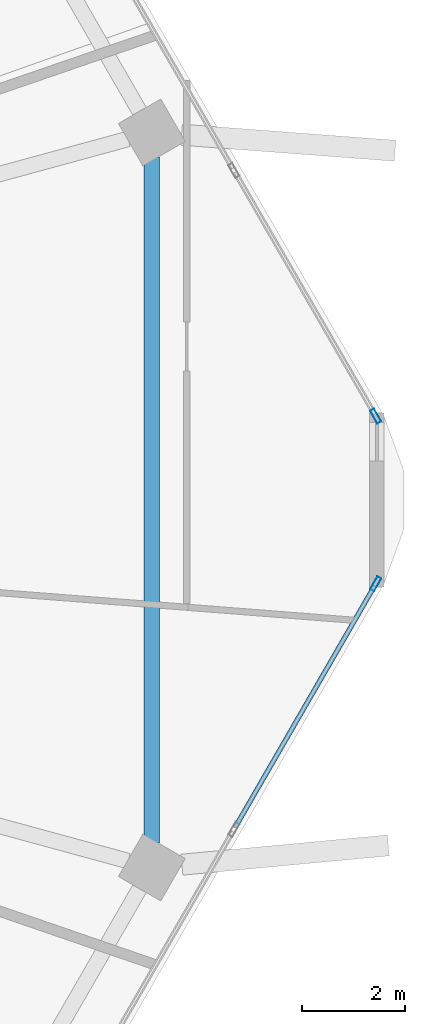
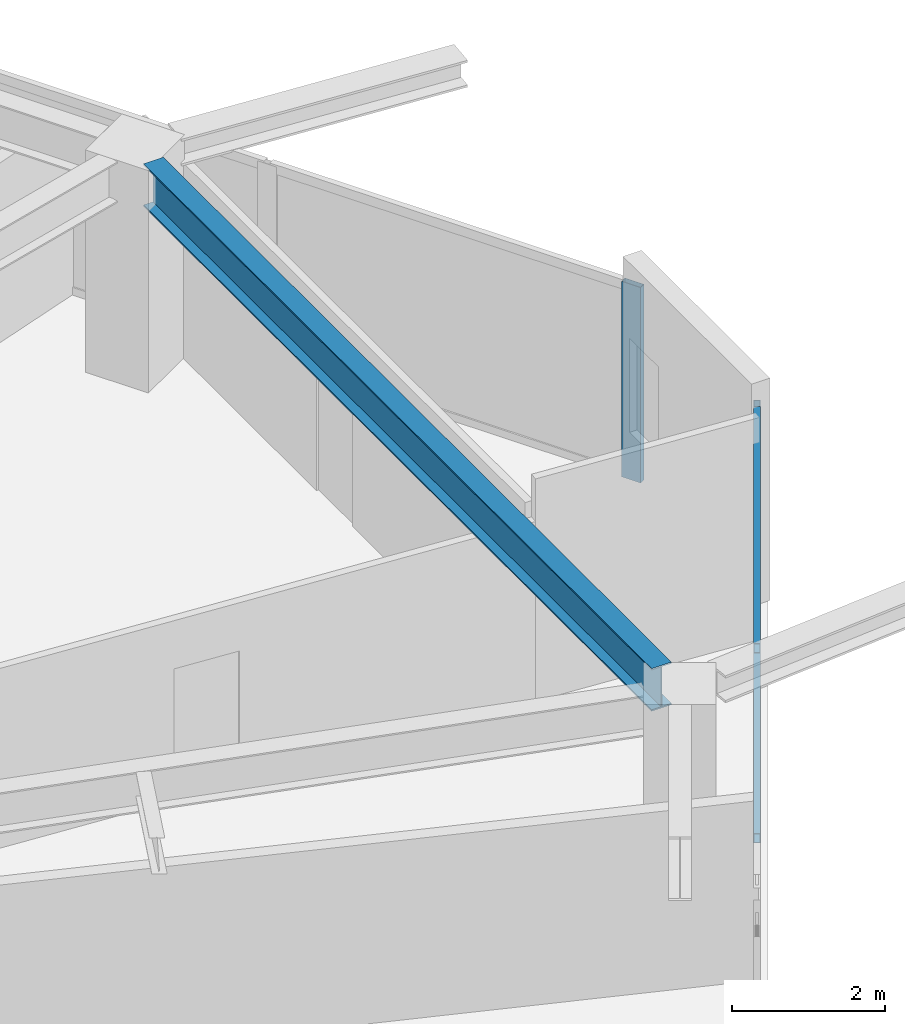
# One storey, part 10 of 27: 4 members, 1 beam, 2 elements without a shape of their own.
"""IFC4 building model written with IfcOpenShell, lengths in metres."""

import ifcopenshell
import ifcopenshell.guid

model = None  # the IFC model being written
_history = None  # IfcOwnerHistory: only IFC2X3 demands one
_inside = {}  # id of a spatial element -> (the spatial element, [elements in it])
_under = {}  # id of a project, library or spatial element -> (it, [spatial elements below it])
_declared = {}  # id of a project -> (the project, [libraries it declares])
_typed = {}  # id of a type object -> (the type object, [elements of that type])
_made_of = {}  # id of a material, layer set ... -> (it, [elements and type objects made of it])


def new_model(schema):
    """Start an empty IFC model of exactly this schema.

    Asked for "IFC4X3", IfcOpenShell would pick the latest addendum, in which some entities
    have other attributes; the version numbers below select the first issue.
    IFC2X3 requires an IfcOwnerHistory on every rooted entity: one is made here for all.
    """
    global model, _history
    if schema == "IFC4X3":
        model = ifcopenshell.file(schema_version=(4, 3, 0, 0))
    else:
        model = ifcopenshell.file(schema=schema)
    _inside.clear()
    _under.clear()
    _declared.clear()
    _typed.clear()
    _made_of.clear()
    _history = None
    if model.schema == "IFC2X3":
        org = make("IfcOrganization", Name="unknown")
        user = make(
            "IfcPersonAndOrganization",
            ThePerson=make("IfcPerson", FamilyName="unknown"),
            TheOrganization=org,
        )
        app = make(
            "IfcApplication",
            ApplicationDeveloper=org,
            Version="unknown",
            ApplicationFullName="unknown",
            ApplicationIdentifier="unknown",
        )
        _history = make(
            "IfcOwnerHistory",
            OwningUser=user,
            OwningApplication=app,
            ChangeAction="ADDED",
            CreationDate=0,
        )
    return model


def make(cls, **values):
    """One entity of the class cls with the attributes given. An attribute that is None is left unset."""
    return model.create_entity(
        cls, **{name: value for name, value in values.items() if value is not None}
    )


def rooted(cls, **values):
    """An entity with a GlobalId (a new one), such as an element, a storey or a relation."""
    return make(cls, GlobalId=ifcopenshell.guid.new(), OwnerHistory=_history, **values)


def si_unit(unit_type, name, prefix=None):
    """IfcSIUnit, for example si_unit("LENGTHUNIT", "METRE", prefix="MILLI")."""
    return make("IfcSIUnit", UnitType=unit_type, Prefix=prefix, Name=name)


def assignment(units):
    """IfcUnitAssignment: the units of a project."""
    return None if units is None else make("IfcUnitAssignment", Units=units)


def point(xyz):
    """IfcCartesianPoint."""
    return None if xyz is None else make("IfcCartesianPoint", Coordinates=xyz)


def direction(xyz):
    """IfcDirection."""
    return None if xyz is None else make("IfcDirection", DirectionRatios=xyz)


def frame(location, z_axis=None, x_axis=None):
    """IfcAxis2Placement3D, a coordinate frame: its origin and axes. An axis left out is left unset."""
    return make(
        "IfcAxis2Placement3D",
        Location=point(location),
        Axis=direction(z_axis),
        RefDirection=direction(x_axis),
    )


def frame_2d(location, x_axis=None):
    """IfcAxis2Placement2D, a coordinate frame in the plane: its origin and x axis."""
    return make(
        "IfcAxis2Placement2D", Location=point(location), RefDirection=direction(x_axis)
    )


def origin():
    """The frame at (0, 0, 0) with its axes left unset."""
    return frame((0.0, 0.0, 0.0))


def origin_2d():
    """The frame at (0, 0) in the plane with its x axis left unset."""
    return frame_2d((0.0, 0.0))


def place(relative_to, where):
    """IfcLocalPlacement: puts the frame where relative to a parent placement (None: the world)."""
    return make(
        "IfcLocalPlacement", PlacementRelTo=relative_to, RelativePlacement=where
    )


def context(
    kind, dimensions, precision=None, world=None, true_north=None, identifier=None
):
    """IfcGeometricRepresentationContext, for example the 3D "Model" context."""
    return make(
        "IfcGeometricRepresentationContext",
        ContextIdentifier=identifier,
        ContextType=kind,
        CoordinateSpaceDimension=dimensions,
        Precision=precision,
        WorldCoordinateSystem=world,
        TrueNorth=true_north,
    )


def subcontext(parent, identifier, kind, view, scale=None):
    """IfcGeometricRepresentationSubContext, for example "Body" below "Model"."""
    return make(
        "IfcGeometricRepresentationSubContext",
        ContextIdentifier=identifier,
        ContextType=kind,
        ParentContext=parent,
        TargetScale=scale,
        TargetView=view,
    )


def project(units=None, contexts=None):
    """IfcProject with its units and contexts."""
    return rooted(
        "IfcProject",
        Name="project",
        RepresentationContexts=contexts,
        UnitsInContext=assignment(units),
    )


def spatial(cls, under=None, at=None, **own):
    """A site, building, storey or space (cls), placed at a placement, below another one or the project."""
    s = rooted(cls, ObjectPlacement=at, **own)
    if under is not None:
        _under.setdefault(under.id(), (under, []))[1].append(s)
    return s


def profile(cls, at=None, kind="AREA", **sizes):
    """A parametric profile (cls). Its sizes go by their IFC names, for example OverallWidth=200.0."""
    return make(cls, ProfileType=kind, Position=at, **sizes)


def hollow_rectangle(**sizes):
    """IfcRectangleHollowProfileDef."""
    return profile("IfcRectangleHollowProfileDef", **sizes)


def i_section(**sizes):
    """IfcIShapeProfileDef."""
    return profile("IfcIShapeProfileDef", **sizes)


def extrude(swept, where, along, depth):
    """IfcExtrudedAreaSolid: the profile swept, set in the frame where, extruded along a direction by depth."""
    return make(
        "IfcExtrudedAreaSolid",
        SweptArea=swept,
        Position=where,
        ExtrudedDirection=direction(along),
        Depth=depth,
    )


def shape(context_of_items, identifier, shape_type, items):
    """IfcShapeRepresentation: the items that make up one representation, for example the "Body"."""
    return make(
        "IfcShapeRepresentation",
        ContextOfItems=context_of_items,
        RepresentationIdentifier=identifier,
        RepresentationType=shape_type,
        Items=items,
    )


def material(Name=None, Category=None):
    """IfcMaterial."""
    return make("IfcMaterial", Name=Name, Category=Category)


def material_profile(
    of_material, cross_section, Name=None, Category=None, Priority=None
):
    """IfcMaterialProfile: a cross section and its material."""
    return make(
        "IfcMaterialProfile",
        Name=Name,
        Material=of_material,
        Profile=cross_section,
        Priority=Priority,
        Category=Category,
    )


def profile_set(profiles, Name=None, composite=None):
    """IfcMaterialProfileSet."""
    return make(
        "IfcMaterialProfileSet",
        Name=Name,
        MaterialProfiles=profiles,
        CompositeProfile=composite,
    )


def made_of(thing, what):
    """Note that an element or type object is made of a material, layer set ...; save() writes the relation."""
    if what is not None:
        _made_of.setdefault(what.id(), (what, []))[1].append(thing)
    return thing


def type_object(cls, material=None, **own):
    """A type object (cls), such as IfcWallType, which elements share."""
    return made_of(rooted(cls, **own), material)


def element(
    cls,
    number,
    at=None,
    inside=None,
    cuts=None,
    type_object=None,
    material=None,
    context=None,
    identifier="Body",
    shape_type=None,
    held_by="IfcProductDefinitionShape",
    body=None,
    shapes=None,
    **own,
):
    """One element of the class cls, such as IfcWall. Its Tag is "e" and its number.

    at: its placement. inside: the storey or other place that contains it. cuts: it is an
    opening in that element (IfcRelVoidsElement). A single representation is given by context,
    identifier, shape_type and body (its items); several are given by shapes. held_by: the class
    of the entity that holds the representations. save() writes the other relations.
    """
    e = rooted(cls, Tag="e%d" % number, ObjectPlacement=at, **own)
    if body is not None:
        shapes = [shape(context, identifier, shape_type, body)]
    if shapes is not None:
        e.Representation = make(held_by, Representations=shapes)
    if inside is not None:
        _inside.setdefault(inside.id(), (inside, []))[1].append(e)
    if cuts is not None:
        rooted(
            "IfcRelVoidsElement", RelatingBuildingElement=cuts, RelatedOpeningElement=e
        )
    if type_object is not None:
        _typed.setdefault(type_object.id(), (type_object, []))[1].append(e)
    return made_of(e, material)


def aggregate(whole, parts):
    """IfcRelAggregates: a whole, such as a stair, and the parts it consists of."""
    return rooted("IfcRelAggregates", RelatingObject=whole, RelatedObjects=parts)


def save(model, path):
    """Write the relations noted so far, then the file.

    IfcRelAggregates (storeys below a building ...), IfcRelContainedInSpatialStructure (elements
    in a storey), IfcRelDefinesByType, IfcRelAssociatesMaterial and IfcRelDeclares: one each for
    every whole, place, type object, material and project.
    """
    for whole, parts in _under.values():
        aggregate(whole, parts)
    for where, things in _inside.values():
        rooted(
            "IfcRelContainedInSpatialStructure",
            RelatedElements=things,
            RelatingStructure=where,
        )
    for kind, things in _typed.values():
        rooted("IfcRelDefinesByType", RelatedObjects=things, RelatingType=kind)
    for what, things in _made_of.values():
        rooted("IfcRelAssociatesMaterial", RelatedObjects=things, RelatingMaterial=what)
    for by, libraries in _declared.values():
        rooted("IfcRelDeclares", RelatingContext=by, RelatedDefinitions=libraries)
    model.write(path)


model = new_model("IFC4")

# Units and contexts
model_context = context("Model", 3, precision=1e-05, world=origin(), true_north=direction((0.0, 1.0)))
body_context = subcontext(model_context, "Body", "Model", "MODEL_VIEW")
ifc_project = project(units=[si_unit("LENGTHUNIT", "METRE"), si_unit("AREAUNIT", "SQUARE_METRE"), si_unit("VOLUMEUNIT", "CUBIC_METRE"), si_unit("PLANEANGLEUNIT", "RADIAN"), si_unit("MASSUNIT", "GRAM", prefix="KILO")], contexts=[model_context])

# Site, building, storey
site_placement = place(None, origin())
site = spatial("IfcSite", under=ifc_project, at=site_placement, CompositionType="ELEMENT")
building_placement = place(site_placement, origin())
building = spatial("IfcBuilding", under=site, at=building_placement, Name="Zuhravey Tower", CompositionType="ELEMENT")
storey_placement = place(building_placement, frame((0.0, 0.0, 218.800048828125)))
storey = spatial("IfcBuildingStorey", under=building, at=storey_placement, Name="L55", CompositionType="ELEMENT", Elevation=218.800048828125)

# Curtain wall, member
ifc_material_1 = material(Name="Thermally broken anodised aluminium", Category="aluminium")
curtain_wall_type = type_object("IfcCurtainWallType", Name="Zone 1-2 Residential Curtain Wall CW3", PredefinedType="NOTDEFINED", material=ifc_material_1)
curtain_wall_1_placement = place(storey_placement, origin())
curtain_wall_1 = element("IfcCurtainWall", 1, at=curtain_wall_1_placement, inside=storey, type_object=curtain_wall_type, Name="L55 CW3 CW-L55-F6-1", PredefinedType="NOTDEFINED")
ifc_material_2 = material(Name="Anodised aluminium", Category="aluminium")
ifc_material_profile_1 = material_profile(ifc_material_2, hollow_rectangle(XDim=0.090087890625, YDim=0.284912109375, WallThickness=0.0048828125, at=origin_2d()), Name="ALU-RHS-90x285x5")
ifc_profile_set_1 = profile_set([ifc_material_profile_1], Name="Anodised aluminium")
member_type_1 = type_object("IfcMemberType", Name="Curtain-Wall Mullion 90x180", PredefinedType="MULLION", material=ifc_profile_set_1)
member_1_placement = place(storey_placement, frame((66.44921875, 30.37353515625, 0.0), z_axis=(0.0, 0.0, 1.0), x_axis=(0.866025138215, -0.500000459979, 0.0)))
member_1 = element("IfcMember", 2, at=member_1_placement, type_object=member_type_1, Name="CW3 mullion 1", PredefinedType="MULLION", context=body_context, shape_type="SweptSolid", body=[
    extrude(hollow_rectangle(XDim=0.090087890625, YDim=0.284912109375, WallThickness=0.0048828125, at=origin_2d()), origin(), (0.0, 0.0, 1.0), 3.1220703125),
])

curtain_wall_2_placement = place(storey_placement, origin())
curtain_wall_2 = element("IfcCurtainWall", 3, at=curtain_wall_2_placement, inside=storey, type_object=curtain_wall_type, Name="L55 CW3 CW-L55-F1-1", PredefinedType="NOTDEFINED")
member_2_placement = place(storey_placement, frame((66.44921875, 33.62646484375, 0.0), z_axis=(0.0, 0.0, 1.0), x_axis=(0.866025138215, 0.500000459979, 0.0)))
member_2 = element("IfcMember", 4, at=member_2_placement, type_object=member_type_1, Name="CW3 mullion 6", PredefinedType="MULLION", context=body_context, shape_type="SweptSolid", body=[
    extrude(hollow_rectangle(XDim=0.090087890625, YDim=0.284912109375, WallThickness=0.0048828125, at=origin_2d()), origin(), (0.0, 0.0, 1.0), 3.1220703125),
])
aggregate(curtain_wall_2, [member_2])

# Member
ifc_material_profile_2 = material_profile(ifc_material_2, hollow_rectangle(XDim=0.090087890625, YDim=0.14990234375, WallThickness=0.0048828125, at=origin_2d()), Name="ALU-RHS-90x150x5")
ifc_profile_set_2 = profile_set([ifc_material_profile_2], Name="Anodised aluminium")
member_type_2 = type_object("IfcMemberType", Name="Curtain-Wall Transom 90x150", PredefinedType="USERDEFINED", material=ifc_profile_set_2)
member_3_placement = place(storey_placement, frame((66.4267578125, 30.33447265625, 0.044921875), z_axis=(-0.499993332629, -0.866029253159, 0.0), x_axis=(0.866029253159, -0.499993332629, 0.0)))
member_3 = element("IfcMember", 5, at=member_3_placement, type_object=member_type_2, Name="CW3 transom 1.1", ObjectType="TRANSOM", PredefinedType="USERDEFINED", context=body_context, shape_type="SweptSolid", body=[
    extrude(hollow_rectangle(XDim=0.090087890625, YDim=0.14990234375, WallThickness=0.0048828125, at=origin_2d()), origin(), (0.0, 0.0, 1.0), 5.4091796875),
])

member_4_placement = place(storey_placement, frame((66.4267578125, 30.33447265625, 3.076904296875), z_axis=(-0.499993332629, -0.866029253159, 0.0), x_axis=(0.866029253159, -0.499993332629, 0.0)))
member_4 = element("IfcMember", 6, at=member_4_placement, type_object=member_type_2, Name="CW3 transom 1.2", ObjectType="TRANSOM", PredefinedType="USERDEFINED", context=body_context, shape_type="SweptSolid", body=[
    extrude(hollow_rectangle(XDim=0.090087890625, YDim=0.14990234375, WallThickness=0.0048828125, at=origin_2d()), origin(), (0.0, 0.0, 1.0), 5.4091796875),
])

aggregate(curtain_wall_1, [member_1, member_3, member_4])

# Beam
ifc_material_3 = material(Name="Steel SM355", Category="steel")
ifc_material_profile_3 = material_profile(ifc_material_3, i_section(OverallWidth=0.300048828125, OverallDepth=0.679931640625, WebThickness=0.012939453125, FlangeThickness=0.02197265625, at=origin_2d()), Name="H-680x300x13x22")
ifc_profile_set_3 = profile_set([ifc_material_profile_3], Name="Steel SM355")
beam_type = type_object("IfcBeamType", Name="Perimeter Ring Beam H680x300", PredefinedType="BEAM", material=ifc_profile_set_3)
beam_placement = place(storey_placement, frame((62.107666015625, 25.3515625, 3.2099609375), z_axis=(0.0, 1.0, 0.0), x_axis=(-1.0, 0.0, 0.0)))
element("IfcBeam", 7, at=beam_placement, inside=storey, type_object=beam_type, Name="L55 PB2 BM-L55-PB-12", PredefinedType="BEAM", context=body_context, shape_type="SweptSolid", body=[
    extrude(i_section(OverallWidth=0.300048828125, OverallDepth=0.679931640625, WebThickness=0.012939453125, FlangeThickness=0.02197265625, at=origin_2d()), origin(), (0.0, 0.0, 1.0), 13.296875),
])

save(model, "model.ifc")
